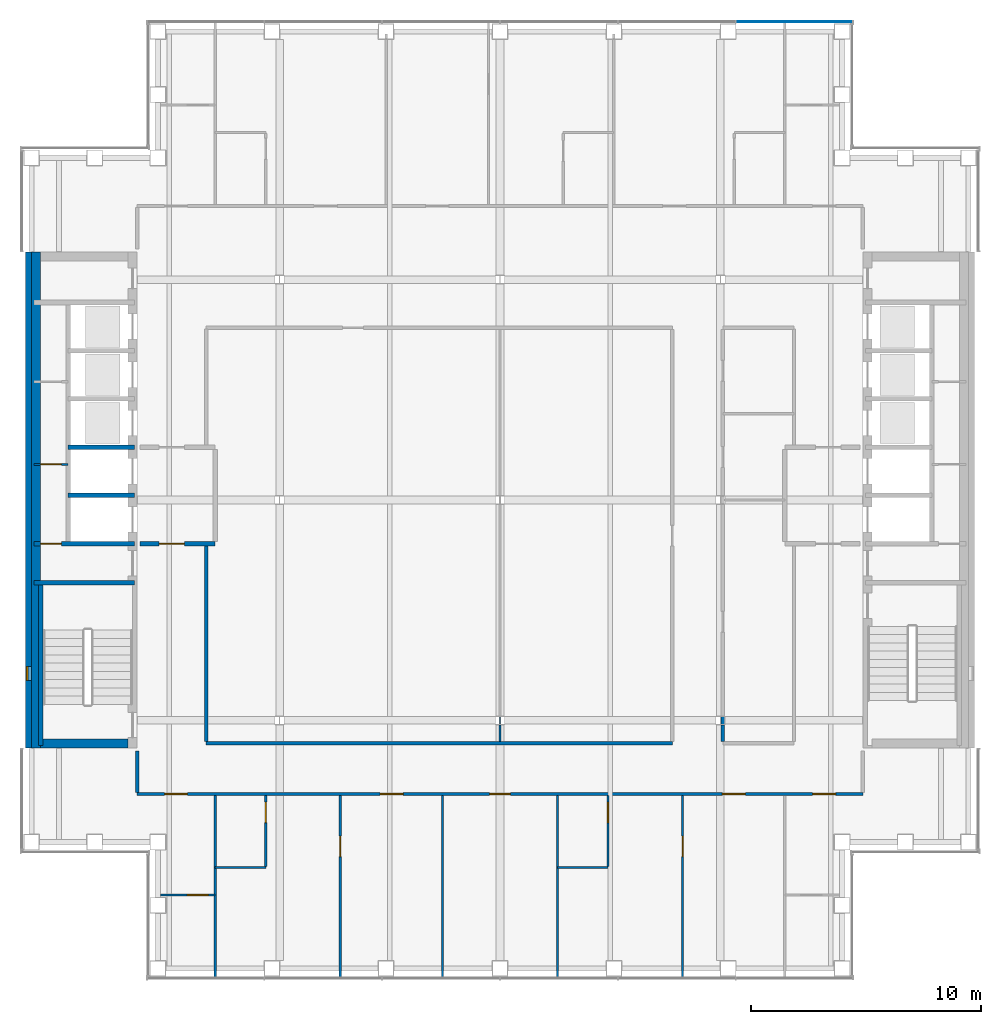
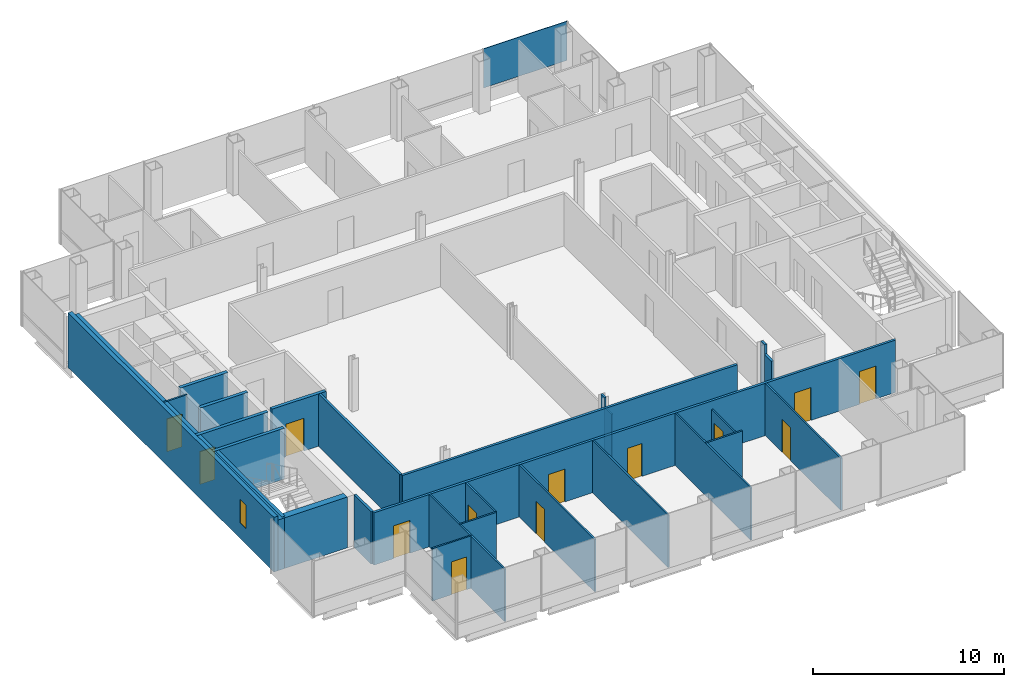
# One storey, part 10 of 15: 28 walls, 13 doors, 1 plate, 1 window, 14 openings, 1 element without a shape of its own.
"""IFC4 building model written with IfcOpenShell, lengths in metres."""

from ifc_helpers import new_model, si_unit, direction, frame, frame_2d, origin, origin_2d, place, context, subcontext, project, spatial, rectangle, extrude, material, layer, layer_set, type_object, element, fill, aggregate, save


model = new_model("IFC4")

# Units and contexts
model_context = context("Model", 3, precision=1e-05, world=origin(), true_north=direction((0.0, 1.0)))
body_context = subcontext(model_context, "Body", "Model", "MODEL_VIEW")
ifc_project = project(units=[si_unit("LENGTHUNIT", "METRE"), si_unit("AREAUNIT", "SQUARE_METRE"), si_unit("VOLUMEUNIT", "CUBIC_METRE"), si_unit("PLANEANGLEUNIT", "RADIAN"), si_unit("MASSUNIT", "GRAM", prefix="KILO")], contexts=[model_context])

# Site, building, storey
site_placement = place(None, origin())
site = spatial("IfcSite", under=ifc_project, at=site_placement, CompositionType="ELEMENT")
building_placement = place(site_placement, origin())
building = spatial("IfcBuilding", under=site, at=building_placement, Name="Cobrizo Arcos Hotel Tower", CompositionType="ELEMENT")
storey_placement = place(building_placement, frame((0.0, 0.0, 194.5)))
storey = spatial("IfcBuildingStorey", under=building, at=storey_placement, Name="L50", CompositionType="ELEMENT", Elevation=194.5)

# Curtain wall, plate
ifc_material_1 = material(Name="Aluminium 6063-T6 anodised bronze", Category="aluminium")
curtain_wall_type = type_object("IfcCurtainWallType", Name="CW-A guest facade", PredefinedType="NOTDEFINED", material=ifc_material_1)
curtain_wall_placement = place(storey_placement, origin())
curtain_wall = element("IfcCurtainWall", 1, at=curtain_wall_placement, inside=storey, type_object=curtain_wall_type, Name="CW-A L50 N face", PredefinedType="NOTDEFINED")
ifc_material_2 = material(Name="Glass clear laminated low-e", Category="glass")
ifc_layer_1 = layer(ifc_material_2, 0.0400390625)
ifc_layer_set_1 = layer_set([ifc_layer_1], Name="CW-A glass panel")
plate_type = type_object("IfcPlateType", Name="CW-A glass panel", PredefinedType="CURTAIN_PANEL", material=ifc_layer_set_1)
plate_placement = place(storey_placement, frame((12.818359375, 20.824951171875, 0.990234375), z_axis=(0.0, 0.0, 1.0), x_axis=(-1.0, 0.0, 0.0)))
plate = element("IfcPlate", 2, at=plate_placement, type_object=plate_type, Name="CW-A glass panel 1732", PredefinedType="CURTAIN_PANEL", context=body_context, shape_type="SweptSolid", body=[
    extrude(rectangle(XDim=5.043212890625, YDim=0.0400390625, at=origin_2d()), origin(), (0.0, 0.0, 1.0), 2.510009765625),
])
aggregate(curtain_wall, [plate])

# Wall, openings, doors
ifc_material_3 = material(Name="Gypsum board partition")
ifc_layer_2 = layer(ifc_material_3, 0.14990234375)
ifc_layer_set_2 = layer_set([ifc_layer_2], Name="Corridor wall EI 60 150")
wall_type_1 = type_object("IfcWallType", Name="Corridor wall EI 60 150", PredefinedType="PARTITIONING", material=ifc_layer_set_2)
wall_1_placement = place(storey_placement, frame((-15.800048828125, -12.800048828125, 0.0), z_axis=(0.0, 0.0, 1.0), x_axis=(1.0, 0.0, 0.0)))
wall_1 = element("IfcWall", 3, at=wall_1_placement, inside=storey, type_object=wall_type_1, Name="Partition 005", PredefinedType="PARTITIONING", context=body_context, shape_type="SweptSolid", body=[
    extrude(rectangle(XDim=31.60009765625, YDim=0.14990234375, at=frame_2d((15.800048828125, 0.0))), origin(), (0.0, 0.0, 1.0), 3.35009765625),
])
opening_1_placement = place(wall_1_placement, frame((10.58203125, 0.0, 0.0)))
opening_1 = element("IfcOpeningElement", 4, at=opening_1_placement, cuts=wall_1, Name="Opening GD-04", PredefinedType="OPENING", context=body_context, shape_type="SweptSolid", body=[
    extrude(rectangle(XDim=1.0, YDim=2.10009765625, at=frame_2d((0.5, 1.050048828125))), frame((0.0, 0.0869140625, 0.0), z_axis=(0.0, -1.0, 0.0), x_axis=(1.0, 0.0, 0.0)), (0.0, 0.0, 1.0), 0.173828125),
])
opening_2_placement = place(wall_1_placement, frame((15.35009765625, 0.0, 0.0)))
opening_2 = element("IfcOpeningElement", 5, at=opening_2_placement, cuts=wall_1, Name="Opening RD-11", PredefinedType="OPENING", context=body_context, shape_type="SweptSolid", body=[
    extrude(rectangle(XDim=0.89990234375, YDim=2.10009765625, at=frame_2d((0.449951171875, 1.050048828125))), frame((0.0, 0.0869140625, 0.0), z_axis=(0.0, -1.0, 0.0), x_axis=(1.0, 0.0, 0.0)), (0.0, 0.0, 1.0), 0.173828125),
])
opening_3_placement = place(wall_1_placement, frame((25.48193359375, 0.0, 0.0)))
opening_3 = element("IfcOpeningElement", 6, at=opening_3_placement, cuts=wall_1, Name="Opening GD-05", PredefinedType="OPENING", context=body_context, shape_type="SweptSolid", body=[
    extrude(rectangle(XDim=1.0, YDim=2.10009765625, at=frame_2d((0.5, 1.050048828125))), frame((0.0, 0.0869140625, 0.0), z_axis=(0.0, -1.0, 0.0), x_axis=(1.0, 0.0, 0.0)), (0.0, 0.0, 1.0), 0.173828125),
])
opening_4_placement = place(wall_1_placement, frame((1.19189453125, 0.0, 0.0)))
opening_4 = element("IfcOpeningElement", 7, at=opening_4_placement, cuts=wall_1, Name="Opening GD-06", PredefinedType="OPENING", context=body_context, shape_type="SweptSolid", body=[
    extrude(rectangle(XDim=1.0, YDim=2.10009765625, at=frame_2d((0.5, 1.050048828125))), frame((0.0, 0.0869140625, 0.0), z_axis=(0.0, -1.0, 0.0), x_axis=(1.0, 0.0, 0.0)), (0.0, 0.0, 1.0), 0.173828125),
])
opening_5_placement = place(wall_1_placement, frame((29.408935546875, 0.0, 0.0)))
opening_5 = element("IfcOpeningElement", 8, at=opening_5_placement, cuts=wall_1, Name="Opening GD-08", PredefinedType="OPENING", context=body_context, shape_type="SweptSolid", body=[
    extrude(rectangle(XDim=1.0, YDim=2.10009765625, at=frame_2d((0.5, 1.050048828125))), frame((0.0, 0.0869140625, 0.0), z_axis=(0.0, -1.0, 0.0), x_axis=(1.0, 0.0, 0.0)), (0.0, 0.0, 1.0), 0.173828125),
])
ifc_material_4 = material(Name="Timber door leaf", Category="wood")
door_type_1 = type_object("IfcDoorType", Name="Guest room door FD30S 1000x2100", OperationType="SINGLE_SWING_LEFT", PredefinedType="DOOR", material=ifc_material_4)
door_1_placement = place(opening_1_placement, origin())
door_1 = element("IfcDoor", 9, at=door_1_placement, inside=storey, type_object=door_type_1, Name="Door GD-04", OperationType="SINGLE_SWING_LEFT", OverallHeight=2.10009765625, OverallWidth=1.0, PredefinedType="DOOR", context=body_context, shape_type="SweptSolid", body=[
    extrude(rectangle(XDim=1.0, YDim=2.10009765625, at=frame_2d((0.5, 1.050048828125))), frame((0.0, 0.02490234375, 0.0), z_axis=(0.0, -1.0, 0.0), x_axis=(1.0, 0.0, 0.0)), (0.0, 0.0, 1.0), 0.050048828125),
])
fill(opening_1, door_1)
door_2_placement = place(opening_3_placement, origin())
door_2 = element("IfcDoor", 10, at=door_2_placement, inside=storey, type_object=door_type_1, Name="Door GD-05", OperationType="SINGLE_SWING_LEFT", OverallHeight=2.10009765625, OverallWidth=1.0, PredefinedType="DOOR", context=body_context, shape_type="SweptSolid", body=[
    extrude(rectangle(XDim=1.0, YDim=2.10009765625, at=frame_2d((0.5, 1.050048828125))), frame((0.0, 0.02490234375, 0.0), z_axis=(0.0, -1.0, 0.0), x_axis=(1.0, 0.0, 0.0)), (0.0, 0.0, 1.0), 0.050048828125),
])
fill(opening_3, door_2)
door_3_placement = place(opening_4_placement, origin())
door_3 = element("IfcDoor", 11, at=door_3_placement, inside=storey, type_object=door_type_1, Name="Door GD-06", OperationType="SINGLE_SWING_LEFT", OverallHeight=2.10009765625, OverallWidth=1.0, PredefinedType="DOOR", context=body_context, shape_type="SweptSolid", body=[
    extrude(rectangle(XDim=1.0, YDim=2.10009765625, at=frame_2d((0.5, 1.050048828125))), frame((0.0, 0.02490234375, 0.0), z_axis=(0.0, -1.0, 0.0), x_axis=(1.0, 0.0, 0.0)), (0.0, 0.0, 1.0), 0.050048828125),
])
fill(opening_4, door_3)
door_4_placement = place(opening_5_placement, origin())
door_4 = element("IfcDoor", 12, at=door_4_placement, inside=storey, type_object=door_type_1, Name="Door GD-08", OperationType="SINGLE_SWING_RIGHT", OverallHeight=2.10009765625, OverallWidth=1.0, PredefinedType="DOOR", context=body_context, shape_type="SweptSolid", body=[
    extrude(rectangle(XDim=1.0, YDim=2.10009765625, at=frame_2d((0.5, 1.050048828125))), frame((0.0, 0.02490234375, 0.0), z_axis=(0.0, -1.0, 0.0), x_axis=(1.0, 0.0, 0.0)), (0.0, 0.0, 1.0), 0.050048828125),
])
fill(opening_5, door_4)
door_type_2 = type_object("IfcDoorType", Name="Room door FD30 900x2100", OperationType="SINGLE_SWING_LEFT", PredefinedType="DOOR", material=ifc_material_4)
door_5_placement = place(opening_2_placement, origin())
door_5 = element("IfcDoor", 13, at=door_5_placement, inside=storey, type_object=door_type_2, Name="Door RD-11", OperationType="SINGLE_SWING_RIGHT", OverallHeight=2.10009765625, OverallWidth=0.89990234375, PredefinedType="DOOR", context=body_context, shape_type="SweptSolid", body=[
    extrude(rectangle(XDim=0.89990234375, YDim=2.10009765625, at=frame_2d((0.449951171875, 1.050048828125))), frame((0.0, 0.02490234375, 0.0), z_axis=(0.0, -1.0, 0.0), x_axis=(1.0, 0.0, 0.0)), (0.0, 0.0, 1.0), 0.050048828125),
])
fill(opening_2, door_5)

# Walls
wall_2_placement = place(storey_placement, frame((-12.800048828125, -10.60009765625, 0.0), z_axis=(0.0, 0.0, 1.0), x_axis=(1.0, 0.0, 0.0)))
element("IfcWall", 14, at=wall_2_placement, inside=storey, type_object=wall_type_1, Name="Partition 006", PredefinedType="PARTITIONING", context=body_context, shape_type="SweptSolid", body=[
    extrude(rectangle(XDim=20.300048828125, YDim=0.14990234375, at=frame_2d((10.14990234375, 0.0))), origin(), (0.0, 0.0, 1.0), 3.35009765625),
])
wall_3_placement = place(storey_placement, frame((-15.800048828125, -12.72509765625, 0.0), z_axis=(0.0, 0.0, 1.0), x_axis=(0.0, 1.0, 0.0)))
element("IfcWall", 15, at=wall_3_placement, inside=storey, type_object=wall_type_1, Name="Partition 042", PredefinedType="PARTITIONING", context=body_context, shape_type="SweptSolid", body=[
    extrude(rectangle(XDim=1.80517578125, YDim=0.14990234375, at=frame_2d((0.902587890625, 0.0))), origin(), (0.0, 0.0, 1.0), 3.35009765625),
])
wall_4_placement = place(storey_placement, frame((-12.800048828125, -10.52490234375, 0.0), z_axis=(0.0, 0.0, 1.0), x_axis=(0.0, 1.0, 0.0)))
element("IfcWall", 16, at=wall_4_placement, inside=storey, type_object=wall_type_1, Name="Partition 044", PredefinedType="PARTITIONING", context=body_context, shape_type="SweptSolid", body=[
    extrude(rectangle(XDim=8.52490234375, YDim=0.14990234375, at=frame_2d((4.262451171875, 0.0))), origin(), (0.0, 0.0, 1.0), 3.35009765625),
])
wall_5_placement = place(storey_placement, frame((9.699951171875, -10.52490234375, 0.0), z_axis=(0.0, 0.0, 1.0), x_axis=(0.0, 1.0, 0.0)))
element("IfcWall", 17, at=wall_5_placement, inside=storey, type_object=wall_type_1, Name="Partition 066", PredefinedType="PARTITIONING", context=body_context, shape_type="SweptSolid", body=[
    extrude(rectangle(XDim=0.73779296875, YDim=0.14990234375, at=frame_2d((0.368896484375, 0.0))), origin(), (0.0, 0.0, 1.0), 2.72802734375),
])
wall_6_placement = place(storey_placement, frame((9.699951171875, -9.787109375, 0.0), z_axis=(0.0, 0.0, 1.0), x_axis=(0.0, 1.0, 0.0)))
element("IfcWall", 18, at=wall_6_placement, inside=storey, type_object=wall_type_1, Name="Partition 067", PredefinedType="PARTITIONING", context=body_context, shape_type="SweptSolid", body=[
    extrude(rectangle(XDim=0.3740234375, YDim=0.14990234375, at=frame_2d((0.18701171875, 0.0))), origin(), (0.0, 0.0, 1.0), 3.35009765625),
])

# Wall, opening, window
ifc_material_5 = material(Name="Aluminium composite panel pale metal", Category="aluminium")
ifc_layer_3 = layer(ifc_material_5, 0.25)
ifc_layer_set_3 = layer_set([ifc_layer_3], Name="EW-1 insulated panel wall 250")
wall_type_2 = type_object("IfcWallType", Name="EW-1 insulated panel wall 250", PredefinedType="SOLIDWALL", material=ifc_layer_set_3)
wall_7_placement = place(storey_placement, frame((-20.52490234375, 10.800048828125, 0.0), z_axis=(0.0, 0.0, 1.0), x_axis=(0.0, -1.0, 0.0)))
wall_7 = element("IfcWall", 19, at=wall_7_placement, inside=storey, type_object=wall_type_2, Name="Core face wall L50 W", PredefinedType="SOLIDWALL", context=body_context, shape_type="SweptSolid", body=[
    extrude(rectangle(XDim=21.60009765625, YDim=0.25, at=frame_2d((10.800048828125, 0.0))), origin(), (0.0, 0.0, 1.0), 3.5),
])
opening_6_placement = place(wall_7_placement, frame((18.050048828125, 0.0, 1.0)))
opening_6 = element("IfcOpeningElement", 20, at=opening_6_placement, cuts=wall_7, Name="Opening W-114", PredefinedType="OPENING", context=body_context, shape_type="SweptSolid", body=[
    extrude(rectangle(XDim=0.60009765625, YDim=1.5, at=frame_2d((0.300048828125, 0.75))), frame((0.0, 0.136962890625, 0.0), z_axis=(0.0, -1.0, 0.0), x_axis=(1.0, 0.0, 0.0)), (0.0, 0.0, 1.0), 0.27392578125),
])
ifc_material_6 = material(Name="Aluminium 6063-T6 and clear laminated glass", Category="aluminium")
window_type = type_object("IfcWindowType", Name="W-C1 core stair slot window 600x1500", PartitioningType="SINGLE_PANEL", PredefinedType="WINDOW", material=ifc_material_6)
window_placement = place(opening_6_placement, origin())
window = element("IfcWindow", 21, at=window_placement, inside=storey, type_object=window_type, Name="Core face wall L50 W window W-114", OverallHeight=1.5, OverallWidth=0.60009765625, PartitioningType="SINGLE_PANEL", PredefinedType="WINDOW", context=body_context, shape_type="SweptSolid", body=[
    extrude(rectangle(XDim=0.60009765625, YDim=1.5, at=frame_2d((0.300048828125, 0.75))), frame((0.0, -0.034912109375, 0.0), z_axis=(0.0, -1.0, 0.0), x_axis=(1.0, 0.0, 0.0)), (0.0, 0.0, 1.0), 0.06005859375),
])
fill(opening_6, window)

# Wall, opening, door
ifc_layer_4 = layer(ifc_material_3, 0.10009765625)
ifc_layer_set_4 = layer_set([ifc_layer_4], Name="Partition EI 30 100")
wall_type_3 = type_object("IfcWallType", Name="Partition EI 30 100", PredefinedType="PARTITIONING", material=ifc_layer_set_4)
wall_8_placement = place(storey_placement, frame((-14.780029296875, -17.199951171875, 0.0), z_axis=(0.0, 0.0, 1.0), x_axis=(1.0, 0.0, 0.0)))
wall_8 = element("IfcWall", 22, at=wall_8_placement, inside=storey, type_object=wall_type_3, Name="Partition 001", PredefinedType="PARTITIONING", context=body_context, shape_type="SweptSolid", body=[
    extrude(rectangle(XDim=2.380126953125, YDim=0.10009765625, at=frame_2d((1.18994140625, 0.0))), origin(), (0.0, 0.0, 1.0), 3.35009765625),
])
opening_7_placement = place(wall_8_placement, frame((1.16796875, 0.0, 0.0)))
opening_7 = element("IfcOpeningElement", 23, at=opening_7_placement, cuts=wall_8, Name="Opening ED-06", PredefinedType="OPENING", context=body_context, shape_type="SweptSolid", body=[
    extrude(rectangle(XDim=0.89990234375, YDim=2.10009765625, at=frame_2d((0.449951171875, 1.050048828125))), frame((0.0, 0.06201171875, 0.0), z_axis=(0.0, -1.0, 0.0), x_axis=(1.0, 0.0, 0.0)), (0.0, 0.0, 1.0), 0.1240234375),
])
door_type_3 = type_object("IfcDoorType", Name="En-suite door 900x2100", OperationType="SINGLE_SWING_LEFT", PredefinedType="DOOR", material=ifc_material_4)
door_6_placement = place(opening_7_placement, origin())
door_6 = element("IfcDoor", 24, at=door_6_placement, inside=storey, type_object=door_type_3, Name="Door ED-06", OperationType="SINGLE_SWING_LEFT", OverallHeight=2.10009765625, OverallWidth=0.89990234375, PredefinedType="DOOR", context=body_context, shape_type="SweptSolid", body=[
    extrude(rectangle(XDim=0.89990234375, YDim=2.10009765625, at=frame_2d((0.449951171875, 1.050048828125))), frame((0.0, 0.02490234375, 0.0), z_axis=(0.0, -1.0, 0.0), x_axis=(1.0, 0.0, 0.0)), (0.0, 0.0, 1.0), 0.050048828125),
])
fill(opening_7, door_6)

# Walls
for number, where, z_axis, x_axis, name in (
    (25, (-12.39990234375, -16.0, 0.0), (0.0, 0.0, 1.0), (1.0, 0.0, 0.0), "Partition 003"),
    (26, (2.5, -16.0, 0.0), (0.0, 0.0, 1.0), (1.0, 0.0, 0.0), "Partition 004"),
):
    element("IfcWall", number, at=place(storey_placement, frame(where, z_axis=z_axis, x_axis=x_axis)), inside=storey, type_object=wall_type_3, Name=name, PredefinedType="PARTITIONING", context=body_context, shape_type="SweptSolid", body=[
        extrude(rectangle(XDim=2.199951171875, YDim=0.10009765625, at=frame_2d((1.10009765625, 0.0))), origin(), (0.0, 0.0, 1.0), 3.35009765625),
    ])

# Wall, opening, door
wall_9_placement = place(storey_placement, frame((-20.280029296875, 1.550048828125, 0.0), z_axis=(0.0, 0.0, 1.0), x_axis=(1.0, 0.0, 0.0)))
wall_9 = element("IfcWall", 27, at=wall_9_placement, inside=storey, type_object=wall_type_3, Name="Partition 017", PredefinedType="PARTITIONING", context=body_context, shape_type="SweptSolid", body=[
    extrude(rectangle(XDim=1.47998046875, YDim=0.10009765625, at=frame_2d((0.739990234375, 0.0))), origin(), (0.0, 0.0, 1.0), 3.25),
])
opening_8_placement = place(wall_9_placement, frame((0.280029296875, 0.0, 0.0)))
opening_8 = element("IfcOpeningElement", 28, at=opening_8_placement, cuts=wall_9, Name="Opening RD-03", PredefinedType="OPENING", context=body_context, shape_type="SweptSolid", body=[
    extrude(rectangle(XDim=0.89990234375, YDim=2.10009765625, at=frame_2d((0.449951171875, 1.050048828125))), frame((0.0, 0.06201171875, 0.0), z_axis=(0.0, -1.0, 0.0), x_axis=(1.0, 0.0, 0.0)), (0.0, 0.0, 1.0), 0.1240234375),
])
door_7_placement = place(opening_8_placement, origin())
door_7 = element("IfcDoor", 29, at=door_7_placement, inside=storey, type_object=door_type_2, Name="Door RD-03", OperationType="SINGLE_SWING_LEFT", OverallHeight=2.10009765625, OverallWidth=0.89990234375, PredefinedType="DOOR", context=body_context, shape_type="SweptSolid", body=[
    extrude(rectangle(XDim=0.89990234375, YDim=2.10009765625, at=frame_2d((0.449951171875, 1.050048828125))), frame((0.0, 0.02490234375, 0.0), z_axis=(0.0, -1.0, 0.0), x_axis=(1.0, 0.0, 0.0)), (0.0, 0.0, 1.0), 0.050048828125),
])
fill(opening_8, door_7)

# Wall
wall_10_placement = place(storey_placement, frame((-12.39990234375, -20.780029296875, 0.0), z_axis=(0.0, 0.0, 1.0), x_axis=(0.0, 1.0, 0.0)))
element("IfcWall", 30, at=wall_10_placement, inside=storey, type_object=wall_type_3, Name="Partition 046", PredefinedType="PARTITIONING", context=body_context, shape_type="SweptSolid", body=[
    extrude(rectangle(XDim=7.905029296875, YDim=0.10009765625, at=frame_2d((3.95263671875, 0.0))), origin(), (0.0, 0.0, 1.0), 3.35009765625),
])

# Wall, opening, door
wall_11_placement = place(storey_placement, frame((-10.199951171875, -15.949951171875, 0.0), z_axis=(0.0, 0.0, 1.0), x_axis=(0.0, 1.0, 0.0)))
wall_11 = element("IfcWall", 31, at=wall_11_placement, inside=storey, type_object=wall_type_3, Name="Partition 049", PredefinedType="PARTITIONING", context=body_context, shape_type="SweptSolid", body=[
    extrude(rectangle(XDim=3.074951171875, YDim=0.10009765625, at=frame_2d((1.53759765625, 0.0))), origin(), (0.0, 0.0, 1.0), 3.35009765625),
])
opening_9_placement = place(wall_11_placement, frame((1.89990234375, 0.0, 0.0)))
opening_9 = element("IfcOpeningElement", 32, at=opening_9_placement, cuts=wall_11, Name="Opening ED-04", PredefinedType="OPENING", context=body_context, shape_type="SweptSolid", body=[
    extrude(rectangle(XDim=0.89990234375, YDim=2.10009765625, at=frame_2d((0.449951171875, 1.050048828125))), frame((0.0, 0.06201171875, 0.0), z_axis=(0.0, -1.0, 0.0), x_axis=(1.0, 0.0, 0.0)), (0.0, 0.0, 1.0), 0.1240234375),
])
door_8_placement = place(opening_9_placement, origin())
door_8 = element("IfcDoor", 33, at=door_8_placement, inside=storey, type_object=door_type_3, Name="Door ED-04", OperationType="SINGLE_SWING_RIGHT", OverallHeight=2.10009765625, OverallWidth=0.89990234375, PredefinedType="DOOR", context=body_context, shape_type="SweptSolid", body=[
    extrude(rectangle(XDim=0.89990234375, YDim=2.10009765625, at=frame_2d((0.449951171875, 1.050048828125))), frame((0.0, 0.02490234375, 0.0), z_axis=(0.0, -1.0, 0.0), x_axis=(1.0, 0.0, 0.0)), (0.0, 0.0, 1.0), 0.050048828125),
])
fill(opening_9, door_8)

wall_12_placement = place(storey_placement, frame((-6.949951171875, -20.780029296875, 0.0), z_axis=(0.0, 0.0, 1.0), x_axis=(0.0, 1.0, 0.0)))
wall_12 = element("IfcWall", 34, at=wall_12_placement, inside=storey, type_object=wall_type_3, Name="Partition 051", PredefinedType="PARTITIONING", context=body_context, shape_type="SweptSolid", body=[
    extrude(rectangle(XDim=7.905029296875, YDim=0.10009765625, at=frame_2d((3.95263671875, 0.0))), origin(), (0.0, 0.0, 1.0), 3.35009765625),
])
opening_10_placement = place(wall_12_placement, frame((5.25, 0.0, 0.0)))
opening_10 = element("IfcOpeningElement", 35, at=opening_10_placement, cuts=wall_12, Name="Opening RD-10", PredefinedType="OPENING", context=body_context, shape_type="SweptSolid", body=[
    extrude(rectangle(XDim=0.89990234375, YDim=2.10009765625, at=frame_2d((0.449951171875, 1.050048828125))), frame((0.0, 0.06201171875, 0.0), z_axis=(0.0, -1.0, 0.0), x_axis=(1.0, 0.0, 0.0)), (0.0, 0.0, 1.0), 0.1240234375),
])
door_9_placement = place(opening_10_placement, origin())
door_9 = element("IfcDoor", 36, at=door_9_placement, inside=storey, type_object=door_type_2, Name="Door RD-10", OperationType="SINGLE_SWING_RIGHT", OverallHeight=2.10009765625, OverallWidth=0.89990234375, PredefinedType="DOOR", context=body_context, shape_type="SweptSolid", body=[
    extrude(rectangle(XDim=0.89990234375, YDim=2.10009765625, at=frame_2d((0.449951171875, 1.050048828125))), frame((0.0, 0.02490234375, 0.0), z_axis=(0.0, -1.0, 0.0), x_axis=(1.0, 0.0, 0.0)), (0.0, 0.0, 1.0), 0.050048828125),
])
fill(opening_10, door_9)

# Walls
wall_13_placement = place(storey_placement, frame((-2.5, -20.780029296875, 0.0), z_axis=(0.0, 0.0, 1.0), x_axis=(0.0, 1.0, 0.0)))
element("IfcWall", 37, at=wall_13_placement, inside=storey, type_object=wall_type_3, Name="Partition 053", PredefinedType="PARTITIONING", context=body_context, shape_type="SweptSolid", body=[
    extrude(rectangle(XDim=7.905029296875, YDim=0.10009765625, at=frame_2d((3.95263671875, 0.0))), origin(), (0.0, 0.0, 1.0), 3.35009765625),
])
wall_14_placement = place(storey_placement, frame((0.0, -10.52490234375, 0.0), z_axis=(0.0, 0.0, 1.0), x_axis=(0.0, 1.0, 0.0)))
element("IfcWall", 38, at=wall_14_placement, inside=storey, type_object=wall_type_3, Name="Partition 055", PredefinedType="PARTITIONING", context=body_context, shape_type="SweptSolid", body=[
    extrude(rectangle(XDim=0.73779296875, YDim=0.10009765625, at=frame_2d((0.368896484375, 0.0))), origin(), (0.0, 0.0, 1.0), 2.72802734375),
])
wall_15_placement = place(storey_placement, frame((0.0, -9.787109375, 0.0), z_axis=(0.0, 0.0, 1.0), x_axis=(0.0, 1.0, 0.0)))
element("IfcWall", 39, at=wall_15_placement, inside=storey, type_object=wall_type_3, Name="Partition 056", PredefinedType="PARTITIONING", context=body_context, shape_type="SweptSolid", body=[
    extrude(rectangle(XDim=0.3740234375, YDim=0.10009765625, at=frame_2d((0.18701171875, 0.0))), origin(), (0.0, 0.0, 1.0), 3.35009765625),
])
wall_16_placement = place(storey_placement, frame((2.5, -20.780029296875, 0.0), z_axis=(0.0, 0.0, 1.0), x_axis=(0.0, 1.0, 0.0)))
element("IfcWall", 40, at=wall_16_placement, inside=storey, type_object=wall_type_3, Name="Partition 060", PredefinedType="PARTITIONING", context=body_context, shape_type="SweptSolid", body=[
    extrude(rectangle(XDim=7.905029296875, YDim=0.10009765625, at=frame_2d((3.95263671875, 0.0))), origin(), (0.0, 0.0, 1.0), 3.35009765625),
])

# Wall, opening, door
wall_17_placement = place(storey_placement, frame((4.699951171875, -15.949951171875, 0.0), z_axis=(0.0, 0.0, 1.0), x_axis=(0.0, 1.0, 0.0)))
wall_17 = element("IfcWall", 41, at=wall_17_placement, inside=storey, type_object=wall_type_3, Name="Partition 062", PredefinedType="PARTITIONING", context=body_context, shape_type="SweptSolid", body=[
    extrude(rectangle(XDim=3.074951171875, YDim=0.10009765625, at=frame_2d((1.53759765625, 0.0))), origin(), (0.0, 0.0, 1.0), 2.81689453125),
])
opening_11_placement = place(wall_17_placement, frame((1.89990234375, 0.0, 0.0)))
opening_11 = element("IfcOpeningElement", 42, at=opening_11_placement, cuts=wall_17, Name="Opening ED-05", PredefinedType="OPENING", context=body_context, shape_type="SweptSolid", body=[
    extrude(rectangle(XDim=0.89990234375, YDim=2.10009765625, at=frame_2d((0.449951171875, 1.050048828125))), frame((0.0, 0.06201171875, 0.0), z_axis=(0.0, -1.0, 0.0), x_axis=(1.0, 0.0, 0.0)), (0.0, 0.0, 1.0), 0.1240234375),
])
door_10_placement = place(opening_11_placement, origin())
door_10 = element("IfcDoor", 43, at=door_10_placement, inside=storey, type_object=door_type_3, Name="Door ED-05", OperationType="SINGLE_SWING_RIGHT", OverallHeight=2.10009765625, OverallWidth=0.89990234375, PredefinedType="DOOR", context=body_context, shape_type="SweptSolid", body=[
    extrude(rectangle(XDim=0.89990234375, YDim=2.10009765625, at=frame_2d((0.449951171875, 1.050048828125))), frame((0.0, 0.02490234375, 0.0), z_axis=(0.0, -1.0, 0.0), x_axis=(1.0, 0.0, 0.0)), (0.0, 0.0, 1.0), 0.050048828125),
])
fill(opening_11, door_10)

wall_18_placement = place(storey_placement, frame((7.949951171875, -20.780029296875, 0.0), z_axis=(0.0, 0.0, 1.0), x_axis=(0.0, 1.0, 0.0)))
wall_18 = element("IfcWall", 44, at=wall_18_placement, inside=storey, type_object=wall_type_3, Name="Partition 065", PredefinedType="PARTITIONING", context=body_context, shape_type="SweptSolid", body=[
    extrude(rectangle(XDim=7.905029296875, YDim=0.10009765625, at=frame_2d((3.95263671875, 0.0))), origin(), (0.0, 0.0, 1.0), 3.35009765625),
])
opening_12_placement = place(wall_18_placement, frame((5.25, 0.0, 0.0)))
opening_12 = element("IfcOpeningElement", 45, at=opening_12_placement, cuts=wall_18, Name="Opening RD-12", PredefinedType="OPENING", context=body_context, shape_type="SweptSolid", body=[
    extrude(rectangle(XDim=0.89990234375, YDim=2.10009765625, at=frame_2d((0.449951171875, 1.050048828125))), frame((0.0, 0.06201171875, 0.0), z_axis=(0.0, -1.0, 0.0), x_axis=(1.0, 0.0, 0.0)), (0.0, 0.0, 1.0), 0.1240234375),
])
door_11_placement = place(opening_12_placement, origin())
door_11 = element("IfcDoor", 46, at=door_11_placement, inside=storey, type_object=door_type_2, Name="Door RD-12", OperationType="SINGLE_SWING_RIGHT", OverallHeight=2.10009765625, OverallWidth=0.89990234375, PredefinedType="DOOR", context=body_context, shape_type="SweptSolid", body=[
    extrude(rectangle(XDim=0.89990234375, YDim=2.10009765625, at=frame_2d((0.449951171875, 1.050048828125))), frame((0.0, 0.02490234375, 0.0), z_axis=(0.0, -1.0, 0.0), x_axis=(1.0, 0.0, 0.0)), (0.0, 0.0, 1.0), 0.050048828125),
])
fill(opening_12, door_11)

# Walls
ifc_material_7 = material(Name="Concrete f'c 40 MPa", Category="concrete")
ifc_layer_5 = layer(ifc_material_7, 0.39990234375)
ifc_layer_set_5 = layer_set([ifc_layer_5], Name="RC core wall 400 f'c 40")
wall_type_4 = type_object("IfcWallType", Name="RC core wall 400 f'c 40", PredefinedType="SHEAR", material=ifc_layer_set_5)
wall_19_placement = place(storey_placement, frame((-20.199951171875, -10.800048828125, 0.0), z_axis=(0.0, 0.0, 1.0), x_axis=(0.0, 1.0, 0.0)))
element("IfcWall", 47, at=wall_19_placement, inside=storey, type_object=wall_type_4, Name="Core wall CW4, west core, outer face, L50", PredefinedType="SHEAR", context=body_context, shape_type="SweptSolid", body=[
    extrude(rectangle(XDim=21.60009765625, YDim=0.39990234375, at=frame_2d((10.800048828125, 0.0))), origin(), (0.0, 0.0, 1.0), 3.25),
])
wall_20_placement = place(storey_placement, frame((-20.0, -10.60009765625, 0.0), z_axis=(0.0, 0.0, 1.0), x_axis=(1.0, 0.0, 0.0)))
element("IfcWall", 48, at=wall_20_placement, inside=storey, type_object=wall_type_4, Name="Core wall CW4, west core, south end, L50", PredefinedType="SHEAR", context=body_context, shape_type="SweptSolid", body=[
    extrude(rectangle(XDim=3.800048828125, YDim=0.39990234375, at=frame_2d((1.89990234375, 0.0))), origin(), (0.0, 0.0, 1.0), 3.25),
])

# Wall, opening, door
ifc_layer_6 = layer(ifc_material_3, 0.199951171875)
ifc_layer_set_6 = layer_set([ifc_layer_6], Name="Shaft wall EI 120 200")
wall_type_5 = type_object("IfcWallType", Name="Shaft wall EI 120 200", PredefinedType="PARTITIONING", material=ifc_layer_set_6)
wall_21_placement = place(storey_placement, frame((-20.280029296875, -1.89990234375, 0.0), z_axis=(0.0, 0.0, 1.0), x_axis=(1.0, 0.0, 0.0)))
wall_21 = element("IfcWall", 49, at=wall_21_placement, inside=storey, type_object=wall_type_5, Name="Partition 010", PredefinedType="PARTITIONING", context=body_context, shape_type="SweptSolid", body=[
    extrude(rectangle(XDim=4.360107421875, YDim=0.199951171875, at=frame_2d((2.18017578125, 0.0))), origin(), (0.0, 0.0, 1.0), 3.25),
])
opening_13_placement = place(wall_21_placement, frame((0.280029296875, 0.0, 0.0)))
opening_13 = element("IfcOpeningElement", 50, at=opening_13_placement, cuts=wall_21, Name="Opening RD-02", PredefinedType="OPENING", context=body_context, shape_type="SweptSolid", body=[
    extrude(rectangle(XDim=0.89990234375, YDim=2.10009765625, at=frame_2d((0.449951171875, 1.050048828125))), frame((0.0, 0.112060546875, 0.0), z_axis=(0.0, -1.0, 0.0), x_axis=(1.0, 0.0, 0.0)), (0.0, 0.0, 1.0), 0.223876953125),
])
door_12_placement = place(opening_13_placement, origin())
door_12 = element("IfcDoor", 51, at=door_12_placement, inside=storey, type_object=door_type_2, Name="Door RD-02", OperationType="SINGLE_SWING_RIGHT", OverallHeight=2.10009765625, OverallWidth=0.89990234375, PredefinedType="DOOR", context=body_context, shape_type="SweptSolid", body=[
    extrude(rectangle(XDim=0.89990234375, YDim=2.10009765625, at=frame_2d((0.449951171875, 1.050048828125))), frame((0.0, 0.02490234375, 0.0), z_axis=(0.0, -1.0, 0.0), x_axis=(1.0, 0.0, 0.0)), (0.0, 0.0, 1.0), 0.050048828125),
])
fill(opening_13, door_12)

wall_22_placement = place(storey_placement, frame((-15.679931640625, -1.89990234375, 0.0), z_axis=(0.0, 0.0, 1.0), x_axis=(1.0, 0.0, 0.0)))
wall_22 = element("IfcWall", 52, at=wall_22_placement, inside=storey, type_object=wall_type_5, Name="Partition 011", PredefinedType="PARTITIONING", context=body_context, shape_type="SweptSolid", body=[
    extrude(rectangle(XDim=3.280029296875, YDim=0.199951171875, at=frame_2d((1.64013671875, 0.0))), origin(), (0.0, 0.0, 1.0), 3.35009765625),
])
opening_14_placement = place(wall_22_placement, frame((0.840087890625, 0.0, 0.0)))
opening_14 = element("IfcOpeningElement", 53, at=opening_14_placement, cuts=wall_22, Name="Opening FD-03", PredefinedType="OPENING", context=body_context, shape_type="SweptSolid", body=[
    extrude(rectangle(XDim=1.10009765625, YDim=2.10009765625, at=frame_2d((0.550048828125, 1.050048828125))), frame((0.0, 0.112060546875, 0.0), z_axis=(0.0, -1.0, 0.0), x_axis=(1.0, 0.0, 0.0)), (0.0, 0.0, 1.0), 0.223876953125),
])
ifc_material_8 = material(Name="Steel door leaf", Category="steel")
door_type_4 = type_object("IfcDoorType", Name="Fire door FD60 1100x2100", OperationType="SINGLE_SWING_LEFT", PredefinedType="DOOR", material=ifc_material_8)
door_13_placement = place(opening_14_placement, origin())
door_13 = element("IfcDoor", 54, at=door_13_placement, inside=storey, type_object=door_type_4, Name="Door FD-03", OperationType="SINGLE_SWING_LEFT", OverallHeight=2.10009765625, OverallWidth=1.10009765625, PredefinedType="DOOR", context=body_context, shape_type="SweptSolid", body=[
    extrude(rectangle(XDim=1.10009765625, YDim=2.10009765625, at=frame_2d((0.550048828125, 1.050048828125))), frame((0.0, 0.02490234375, 0.0), z_axis=(0.0, -1.0, 0.0), x_axis=(1.0, 0.0, 0.0)), (0.0, 0.0, 1.0), 0.050048828125),
])
fill(opening_14, door_13)

# Walls
for number, where, z_axis, x_axis, name in (
    (55, (-18.800048828125, 0.199951171875, 0.0), (0.0, 0.0, 1.0), (1.0, 0.0, 0.0), "Partition 015"),
    (56, (-18.800048828125, 2.300048828125, 0.0), (0.0, 0.0, 1.0), (1.0, 0.0, 0.0), "Partition 019"),
):
    element("IfcWall", number, at=place(storey_placement, frame(where, z_axis=z_axis, x_axis=x_axis)), inside=storey, type_object=wall_type_5, Name=name, PredefinedType="PARTITIONING", context=body_context, shape_type="SweptSolid", body=[
        extrude(rectangle(XDim=2.880126953125, YDim=0.199951171875, at=frame_2d((1.43994140625, 0.0))), origin(), (0.0, 0.0, 1.0), 3.25),
    ])
ifc_layer_7 = layer(ifc_material_7, 0.199951171875)
ifc_layer_set_7 = layer_set([ifc_layer_7], Name="Stair shaft wall 200")
wall_type_6 = type_object("IfcWallType", Name="Stair shaft wall 200", PredefinedType="SHEAR", material=ifc_layer_set_7)
wall_23_placement = place(storey_placement, frame((-20.280029296875, -3.60009765625, 0.0), z_axis=(0.0, 0.0, 1.0), x_axis=(1.0, 0.0, 0.0)))
element("IfcWall", 57, at=wall_23_placement, inside=storey, type_object=wall_type_6, Name="Stair shaft wall W", PredefinedType="SHEAR", context=body_context, shape_type="SweptSolid", body=[
    extrude(rectangle(XDim=4.360107421875, YDim=0.199951171875, at=frame_2d((2.18017578125, 0.0))), origin(), (0.0, 0.0, 1.0), 3.25),
])
wall_24_placement = place(storey_placement, frame((-20.0, -10.679931640625, 0.0), z_axis=(0.0, 0.0, 1.0), x_axis=(0.0, 1.0, 0.0)))
element("IfcWall", 58, at=wall_24_placement, inside=storey, type_object=wall_type_6, Name="Stair shaft wall W", PredefinedType="SHEAR", context=body_context, shape_type="SweptSolid", body=[
    extrude(rectangle(XDim=6.97998046875, YDim=0.199951171875, at=frame_2d((3.489990234375, 0.0))), origin(), (0.0, 0.0, 1.0), 3.25),
])

save(model, "model.ifc")
